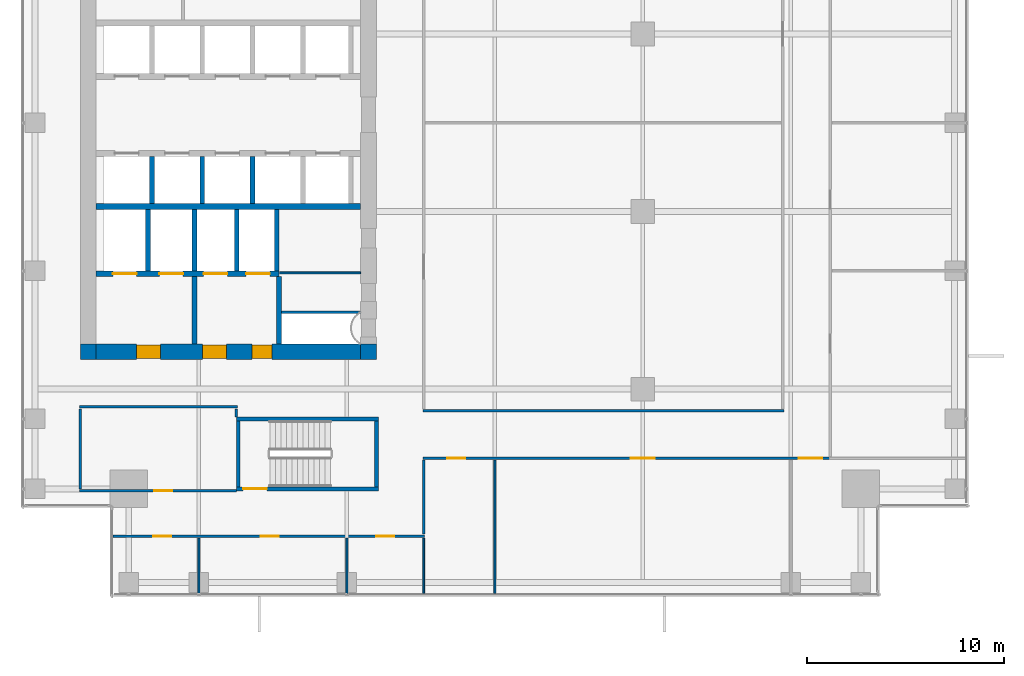
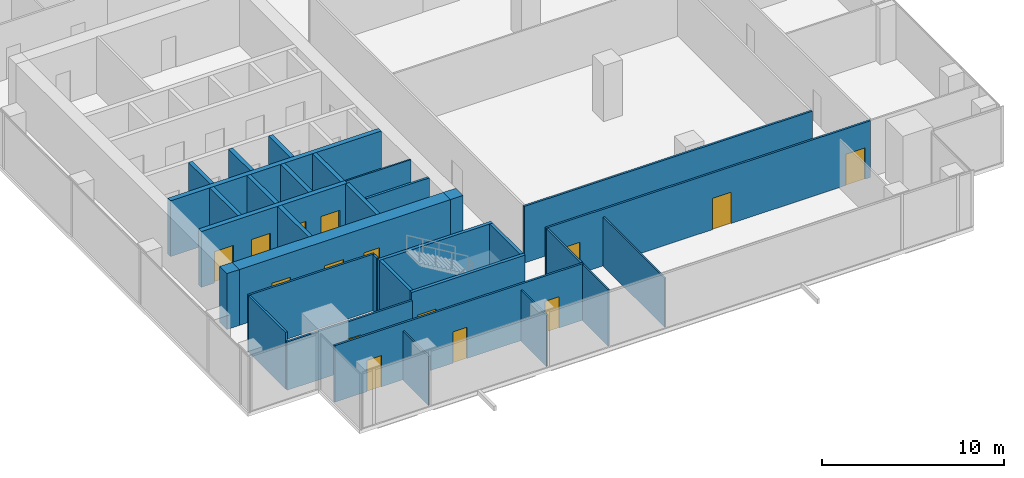
# One storey, part 34 of 40: 32 walls, 15 doors, 15 openings.
"""IFC4 building model written with IfcOpenShell, lengths in metres."""

from ifc_helpers import new_model, si_unit, direction, frame, frame_2d, origin, place, context, subcontext, project, spatial, rectangle, extrude, source, transform, mapped, material, layer, layer_set, type_object, element, fill, save


model = new_model("IFC4")

# Units and contexts
model_context = context("Model", 3, precision=1e-05, world=origin(), true_north=direction((0.0, 1.0)))
body_context = subcontext(model_context, "Body", "Model", "MODEL_VIEW")
ifc_project = project(units=[si_unit("LENGTHUNIT", "METRE"), si_unit("AREAUNIT", "SQUARE_METRE"), si_unit("VOLUMEUNIT", "CUBIC_METRE"), si_unit("PLANEANGLEUNIT", "RADIAN"), si_unit("MASSUNIT", "GRAM", prefix="KILO")], contexts=[model_context])

# Site, building, storey
site_placement = place(None, origin())
site = spatial("IfcSite", under=ifc_project, at=site_placement, CompositionType="ELEMENT")
building_placement = place(site_placement, origin())
building = spatial("IfcBuilding", under=site, at=building_placement, Name="Khomas Fold Tower", CompositionType="ELEMENT")
storey_placement = place(building_placement, frame((0.0, 0.0, 192.699951171875)))
storey = spatial("IfcBuildingStorey", under=building, at=storey_placement, Name="L42", CompositionType="ELEMENT", Elevation=192.699951171875)

# Wall, openings, doors
ifc_material_1 = material(Name="Concrete C60/75", Category="concrete")
ifc_layer_1 = layer(ifc_material_1, 0.800048828125)
ifc_layer_set_1 = layer_set([ifc_layer_1], Name="Concrete C60/75")
wall_type_1 = type_object("IfcWallType", Name="Core wall 800", PredefinedType="SHEAR", material=ifc_layer_set_1)
shared_shape_1 = source(origin(), body_context, "Body", "SweptSolid", [
    extrude(rectangle(XDim=13.39990234375, YDim=0.800048828125, at=frame_2d((6.699951171875, 0.0))), origin(), (0.0, 0.0, 1.0), 3.75),
])
wall_1_placement = place(storey_placement, frame((6.800048828125, 15.39990234375, 0.0), z_axis=(0.0, 0.0, 1.0), x_axis=(1.0, 0.0, 0.0)))
wall_1 = element("IfcWall", 1, at=wall_1_placement, inside=storey, type_object=wall_type_1, Name="Core wall CW-U-S-L35", PredefinedType="SHEAR", context=body_context, shape_type="MappedRepresentation", body=[
    mapped(shared_shape_1, transform((0.0, 0.0, 0.0))),
])
shared_shape_2 = source(origin(), body_context, "Body", "SweptSolid", [
    extrude(rectangle(XDim=1.199951171875, YDim=2.10009765625, at=frame_2d((0.60009765625, 1.050048828125))), frame((0.0, 0.409912109375, 0.0), z_axis=(0.0, -1.0, 0.0), x_axis=(1.0, 0.0, 0.0)), (0.0, 0.0, 1.0), 0.820068359375),
])
opening_1_placement = place(wall_1_placement, frame((5.39990234375, 0.0, 0.0)))
opening_1 = element("IfcOpeningElement", 2, at=opening_1_placement, cuts=wall_1, Name="Opening 0009", PredefinedType="OPENING", context=body_context, shape_type="MappedRepresentation", body=[
    mapped(shared_shape_2, transform((0.0, 0.0, 0.0))),
])
opening_2_placement = place(wall_1_placement, frame((2.050048828125, 0.0, 0.0)))
opening_2 = element("IfcOpeningElement", 3, at=opening_2_placement, cuts=wall_1, Name="Opening 0009", PredefinedType="OPENING", context=body_context, shape_type="MappedRepresentation", body=[
    mapped(shared_shape_2, transform((0.0, 0.0, 0.0))),
])
shared_shape_3 = source(origin(), body_context, "Body", "SweptSolid", [
    extrude(rectangle(XDim=1.0, YDim=2.10009765625, at=frame_2d((0.5, 1.050048828125))), frame((0.0, 0.409912109375, 0.0), z_axis=(0.0, -1.0, 0.0), x_axis=(1.0, 0.0, 0.0)), (0.0, 0.0, 1.0), 0.820068359375),
])
opening_3_placement = place(wall_1_placement, frame((7.89990234375, 0.0, 0.0)))
opening_3 = element("IfcOpeningElement", 4, at=opening_3_placement, cuts=wall_1, Name="Opening 0010", PredefinedType="OPENING", context=body_context, shape_type="MappedRepresentation", body=[
    mapped(shared_shape_3, transform((0.0, 0.0, 0.0))),
])
ifc_material_2 = material(Name="Steel door leaf", Category="steel")
door_type_1 = type_object("IfcDoorType", Name="Lobby door 1200x2100 right-hand", OperationType="SINGLE_SWING_RIGHT", PredefinedType="DOOR", material=ifc_material_2)
shared_shape_4 = source(origin(), body_context, "Body", "SweptSolid", [
    extrude(rectangle(XDim=1.199951171875, YDim=2.10009765625, at=frame_2d((0.60009765625, 1.050048828125))), frame((0.0, 0.35009765625, 0.0), z_axis=(0.0, -1.0, 0.0), x_axis=(1.0, 0.0, 0.0)), (0.0, 0.0, 1.0), 0.699951171875),
])
door_1_placement = place(opening_1_placement, origin())
door_1 = element("IfcDoor", 5, at=door_1_placement, inside=storey, type_object=door_type_1, Name="Lobby door", OperationType="SINGLE_SWING_RIGHT", OverallHeight=2.10009765625, OverallWidth=1.199951171875, PredefinedType="DOOR", context=body_context, shape_type="MappedRepresentation", body=[
    mapped(shared_shape_4, transform((0.0, 0.0, 0.0))),
])
fill(opening_1, door_1)
door_2_placement = place(opening_2_placement, origin())
door_2 = element("IfcDoor", 6, at=door_2_placement, inside=storey, type_object=door_type_1, Name="Lobby door", OperationType="SINGLE_SWING_RIGHT", OverallHeight=2.10009765625, OverallWidth=1.199951171875, PredefinedType="DOOR", context=body_context, shape_type="MappedRepresentation", body=[
    mapped(shared_shape_4, transform((0.0, 0.0, 0.0))),
])
fill(opening_2, door_2)
ifc_material_3 = material(Name="Steel door leaf", Category="steel")
door_type_2 = type_object("IfcDoorType", Name="Stair door 1000x2100 right-hand", OperationType="SINGLE_SWING_RIGHT", PredefinedType="DOOR", material=ifc_material_3)
shared_shape_5 = source(origin(), body_context, "Body", "SweptSolid", [
    extrude(rectangle(XDim=1.0, YDim=2.10009765625, at=frame_2d((0.5, 1.050048828125))), frame((0.0, 0.35009765625, 0.0), z_axis=(0.0, -1.0, 0.0), x_axis=(1.0, 0.0, 0.0)), (0.0, 0.0, 1.0), 0.699951171875),
])
door_3_placement = place(opening_3_placement, origin())
door_3 = element("IfcDoor", 7, at=door_3_placement, inside=storey, type_object=door_type_2, Name="Stair door", OperationType="SINGLE_SWING_RIGHT", OverallHeight=2.10009765625, OverallWidth=1.0, PredefinedType="DOOR", context=body_context, shape_type="MappedRepresentation", body=[
    mapped(shared_shape_5, transform((0.0, 0.0, 0.0))),
])
fill(opening_3, door_3)

# Walls
ifc_material_4 = material(Name="Concrete C60/75", Category="concrete")
ifc_layer_2 = layer(ifc_material_4, 0.800048828125)
ifc_layer_set_2 = layer_set([ifc_layer_2], Name="Concrete C60/75")
wall_type_2 = type_object("IfcWallType", Name="Core corner wall 800", PredefinedType="SHEAR", material=ifc_layer_set_2)
shared_shape_6 = source(origin(), body_context, "Body", "SweptSolid", [
    extrude(rectangle(XDim=0.800048828125, YDim=0.800048828125, at=frame_2d((0.39990234375, 0.0))), origin(), (0.0, 0.0, 1.0), 3.75),
])
for number, where, z_axis, x_axis, name in (
    (8, (20.199951171875, 15.39990234375, 0.0), (0.0, 0.0, 1.0), (1.0, 0.0, 0.0), "Core wall CW-U-SE-L35"),
    (9, (6.0, 15.39990234375, 0.0), (0.0, 0.0, 1.0), (1.0, 0.0, 0.0), "Core wall CW-U-SW-L35"),
):
    element("IfcWall", number, at=place(storey_placement, frame(where, z_axis=z_axis, x_axis=x_axis)), inside=storey, type_object=wall_type_2, Name=name, PredefinedType="SHEAR", context=body_context, shape_type="MappedRepresentation", body=[
        mapped(shared_shape_6, transform((0.0, 0.0, 0.0))),
    ])
ifc_material_5 = material(Name="Concrete C50/60", Category="concrete")
ifc_layer_3 = layer(ifc_material_5, 0.199951171875)
ifc_layer_set_3 = layer_set([ifc_layer_3], Name="Concrete C50/60")
wall_type_3 = type_object("IfcWallType", Name="Stair wall 200", PredefinedType="SHEAR", material=ifc_layer_set_3)
shared_shape_7 = source(origin(), body_context, "Body", "SweptSolid", [
    extrude(rectangle(XDim=7.2001953125, YDim=0.199951171875, at=frame_2d((3.60009765625, 0.0))), origin(), (0.0, 0.0, 1.0), 3.75),
])
wall_2_placement = place(storey_placement, frame((13.89990234375, 12.0, 0.0), z_axis=(0.0, 0.0, 1.0), x_axis=(1.0, 0.0, 0.0)))
element("IfcWall", 10, at=wall_2_placement, inside=storey, type_object=wall_type_3, Name="Stair wall SW-ST2-NH", PredefinedType="SHEAR", context=body_context, shape_type="MappedRepresentation", body=[
    mapped(shared_shape_7, transform((0.0, 0.0, 0.0))),
])

# Wall, opening, door
wall_3_placement = place(storey_placement, frame((13.89990234375, 8.449951171875, 0.0), z_axis=(0.0, 0.0, 1.0), x_axis=(1.0, 0.0, 0.0)))
wall_3 = element("IfcWall", 11, at=wall_3_placement, inside=storey, type_object=wall_type_3, Name="Stair wall SW-ST2-S", PredefinedType="SHEAR", context=body_context, shape_type="MappedRepresentation", body=[
    mapped(shared_shape_7, transform((0.0, 0.0, 0.0))),
])
shared_shape_8 = source(origin(), body_context, "Body", "SweptSolid", [
    extrude(rectangle(XDim=1.199951171875, YDim=2.10009765625, at=frame_2d((0.60009765625, 1.050048828125))), frame((0.0, 0.10986328125, 0.0), z_axis=(0.0, -1.0, 0.0), x_axis=(1.0, 0.0, 0.0)), (0.0, 0.0, 1.0), 0.219970703125),
])
opening_4_placement = place(wall_3_placement, frame((0.35009765625, 0.0, 0.0)))
opening_4 = element("IfcOpeningElement", 12, at=opening_4_placement, cuts=wall_3, Name="Opening SD-ST2", PredefinedType="OPENING", context=body_context, shape_type="MappedRepresentation", body=[
    mapped(shared_shape_8, transform((0.0, 0.0, 0.0))),
])
ifc_material_6 = material(Name="Steel door leaf", Category="steel")
door_type_3 = type_object("IfcDoorType", Name="Stair door 1200x2100 right-hand", OperationType="SINGLE_SWING_RIGHT", PredefinedType="DOOR", material=ifc_material_6)
shared_shape_9 = source(origin(), body_context, "Body", "SweptSolid", [
    extrude(rectangle(XDim=1.199951171875, YDim=2.10009765625, at=frame_2d((0.60009765625, 1.050048828125))), frame((0.0, 0.02490234375, 0.0), z_axis=(0.0, -1.0, 0.0), x_axis=(1.0, 0.0, 0.0)), (0.0, 0.0, 1.0), 0.050048828125),
])
door_4_placement = place(opening_4_placement, origin())
door_4 = element("IfcDoor", 13, at=door_4_placement, inside=storey, type_object=door_type_3, Name="Stair door", OperationType="SINGLE_SWING_RIGHT", OverallHeight=2.10009765625, OverallWidth=1.199951171875, PredefinedType="DOOR", context=body_context, shape_type="MappedRepresentation", body=[
    mapped(shared_shape_9, transform((0.0, 0.0, 0.0))),
])
fill(opening_4, door_4)

# Walls
shared_shape_10 = source(origin(), body_context, "Body", "SweptSolid", [
    extrude(rectangle(XDim=3.349853515625, YDim=0.199951171875, at=frame_2d((1.6748046875, 0.0))), origin(), (0.0, 0.0, 1.0), 3.75),
])
for number, where, z_axis, x_axis, name in (
    (14, (21.0, 8.550048828125, 0.0), (0.0, 0.0, 1.0), (0.0, 1.0, 0.0), "Stair wall SW-ST2-E"),
    (15, (14.0, 8.550048828125, 0.0), (0.0, 0.0, 1.0), (0.0, 1.0, 0.0), "Stair wall SW-ST2-W"),
):
    element("IfcWall", number, at=place(storey_placement, frame(where, z_axis=z_axis, x_axis=x_axis)), inside=storey, type_object=wall_type_3, Name=name, PredefinedType="SHEAR", context=body_context, shape_type="MappedRepresentation", body=[
        mapped(shared_shape_10, transform((0.0, 0.0, 0.0))),
    ])
ifc_material_7 = material(Name="Concrete C50/60", Category="concrete")
ifc_layer_4 = layer(ifc_material_7, 0.300048828125)
ifc_layer_set_4 = layer_set([ifc_layer_4], Name="Concrete C50/60")
wall_type_4 = type_object("IfcWallType", Name="Shaft wall 300", PredefinedType="STANDARD", material=ifc_layer_set_4)
shared_shape_11 = source(origin(), body_context, "Body", "SweptSolid", [
    extrude(rectangle(XDim=13.39990234375, YDim=0.300048828125, at=frame_2d((6.699951171875, 0.0))), origin(), (0.0, 0.0, 1.0), 3.75),
])
wall_4_placement = place(storey_placement, frame((6.800048828125, 22.75, 0.0), z_axis=(0.0, 0.0, 1.0), x_axis=(1.0, 0.0, 0.0)))
element("IfcWall", 16, at=wall_4_placement, inside=storey, type_object=wall_type_4, Name="Core wall SW-FS-B", PredefinedType="STANDARD", context=body_context, shape_type="MappedRepresentation", body=[
    mapped(shared_shape_11, transform((0.0, 0.0, 0.0))),
])

# Wall, openings, doors
shared_shape_12 = source(origin(), body_context, "Body", "SweptSolid", [
    extrude(rectangle(XDim=9.27490234375, YDim=0.300048828125, at=frame_2d((4.637451171875, 0.0))), origin(), (0.0, 0.0, 1.0), 3.75),
])
wall_5_placement = place(storey_placement, frame((6.800048828125, 19.35009765625, 0.0), z_axis=(0.0, 0.0, 1.0), x_axis=(1.0, 0.0, 0.0)))
wall_5 = element("IfcWall", 17, at=wall_5_placement, inside=storey, type_object=wall_type_4, Name="Core wall SW-FS-F", PredefinedType="STANDARD", context=body_context, shape_type="MappedRepresentation", body=[
    mapped(shared_shape_12, transform((0.0, 0.0, 0.0))),
])
shared_shape_13 = source(origin(), body_context, "Body", "SweptSolid", [
    extrude(rectangle(XDim=1.199951171875, YDim=2.10009765625, at=frame_2d((0.60009765625, 1.050048828125))), frame((0.0, 0.159912109375, 0.0), z_axis=(0.0, -1.0, 0.0), x_axis=(1.0, 0.0, 0.0)), (0.0, 0.0, 1.0), 0.320068359375),
])
opening_5_placement = place(wall_5_placement, frame((0.85009765625, 0.0, 0.0)))
opening_5 = element("IfcOpeningElement", 18, at=opening_5_placement, cuts=wall_5, Name="Opening LD-SV1", PredefinedType="OPENING", context=body_context, shape_type="MappedRepresentation", body=[
    mapped(shared_shape_13, transform((0.0, 0.0, 0.0))),
])
opening_6_placement = place(wall_5_placement, frame((3.199951171875, 0.0, 0.0)))
opening_6 = element("IfcOpeningElement", 19, at=opening_6_placement, cuts=wall_5, Name="Opening LD-SV2", PredefinedType="OPENING", context=body_context, shape_type="MappedRepresentation", body=[
    mapped(shared_shape_13, transform((0.0, 0.0, 0.0))),
])
opening_7_placement = place(wall_5_placement, frame((5.449951171875, 0.0, 0.0)))
opening_7 = element("IfcOpeningElement", 20, at=opening_7_placement, cuts=wall_5, Name="Opening LD-FF1", PredefinedType="OPENING", context=body_context, shape_type="MappedRepresentation", body=[
    mapped(shared_shape_13, transform((0.0, 0.0, 0.0))),
])
opening_8_placement = place(wall_5_placement, frame((7.60009765625, 0.0, 0.0)))
opening_8 = element("IfcOpeningElement", 21, at=opening_8_placement, cuts=wall_5, Name="Opening LD-FF2", PredefinedType="OPENING", context=body_context, shape_type="MappedRepresentation", body=[
    mapped(shared_shape_13, transform((0.0, 0.0, 0.0))),
])
ifc_material_8 = material(Name="Steel door leaf", Category="steel")
door_type_4 = type_object("IfcDoorType", Name="Landing door 1200x2100", OperationType="DOUBLE_DOOR_SLIDING", PredefinedType="DOOR", material=ifc_material_8)
door_5_placement = place(opening_5_placement, origin())
door_5 = element("IfcDoor", 22, at=door_5_placement, inside=storey, type_object=door_type_4, Name="Lift landing door", OperationType="DOUBLE_DOOR_SLIDING", OverallHeight=2.10009765625, OverallWidth=1.199951171875, PredefinedType="DOOR", context=body_context, shape_type="MappedRepresentation", body=[
    mapped(shared_shape_9, transform((0.0, 0.0, 0.0))),
])
fill(opening_5, door_5)
door_6_placement = place(opening_6_placement, origin())
door_6 = element("IfcDoor", 23, at=door_6_placement, inside=storey, type_object=door_type_4, Name="Lift landing door", OperationType="DOUBLE_DOOR_SLIDING", OverallHeight=2.10009765625, OverallWidth=1.199951171875, PredefinedType="DOOR", context=body_context, shape_type="MappedRepresentation", body=[
    mapped(shared_shape_9, transform((0.0, 0.0, 0.0))),
])
fill(opening_6, door_6)
door_7_placement = place(opening_7_placement, origin())
door_7 = element("IfcDoor", 24, at=door_7_placement, inside=storey, type_object=door_type_4, Name="Lift landing door", OperationType="DOUBLE_DOOR_SLIDING", OverallHeight=2.10009765625, OverallWidth=1.199951171875, PredefinedType="DOOR", context=body_context, shape_type="MappedRepresentation", body=[
    mapped(shared_shape_9, transform((0.0, 0.0, 0.0))),
])
fill(opening_7, door_7)
door_8_placement = place(opening_8_placement, origin())
door_8 = element("IfcDoor", 25, at=door_8_placement, inside=storey, type_object=door_type_4, Name="Lift landing door", OperationType="DOUBLE_DOOR_SLIDING", OverallHeight=2.10009765625, OverallWidth=1.199951171875, PredefinedType="DOOR", context=body_context, shape_type="MappedRepresentation", body=[
    mapped(shared_shape_9, transform((0.0, 0.0, 0.0))),
])
fill(opening_8, door_8)

# Walls
ifc_material_9 = material(Name="Concrete C50/60", Category="concrete")
ifc_layer_5 = layer(ifc_material_9, 0.25)
ifc_layer_set_5 = layer_set([ifc_layer_5], Name="Concrete C50/60")
wall_type_5 = type_object("IfcWallType", Name="Shaft wall 250", PredefinedType="STANDARD", material=ifc_layer_set_5)
shared_shape_14 = source(origin(), body_context, "Body", "SweptSolid", [
    extrude(rectangle(XDim=3.10009765625, YDim=0.25, at=frame_2d((1.550048828125, 0.0))), origin(), (0.0, 0.0, 1.0), 3.75),
])
for number, where, z_axis, x_axis, name in (
    (26, (9.425048828125, 19.5, 0.0), (0.0, 0.0, 1.0), (0.0, 1.0, 0.0), "Core wall SW-FS-P1"),
    (27, (11.77490234375, 19.5, 0.0), (0.0, 0.0, 1.0), (0.0, 1.0, 0.0), "Core wall SW-FS-P2"),
    (28, (13.925048828125, 19.5, 0.0), (0.0, 0.0, 1.0), (0.0, 1.0, 0.0), "Core wall SW-FS-P3"),
    (29, (15.949951171875, 19.5, 0.0), (0.0, 0.0, 1.0), (0.0, 1.0, 0.0), "Core wall SW-FS-PE"),
):
    element("IfcWall", number, at=place(storey_placement, frame(where, z_axis=z_axis, x_axis=x_axis)), inside=storey, type_object=wall_type_5, Name=name, PredefinedType="STANDARD", context=body_context, shape_type="MappedRepresentation", body=[
        mapped(shared_shape_14, transform((0.0, 0.0, 0.0))),
    ])
shared_shape_15 = source(origin(), body_context, "Body", "SweptSolid", [
    extrude(rectangle(XDim=2.400146484375, YDim=0.25, at=frame_2d((1.2001953125, 0.0))), origin(), (0.0, 0.0, 1.0), 3.75),
])
for number, where, z_axis, x_axis, name in (
    (30, (9.625, 22.89990234375, 0.0), (0.0, 0.0, 1.0), (0.0, 1.0, 0.0), "Core wall SW-HRS-P1"),
    (31, (12.175048828125, 22.89990234375, 0.0), (0.0, 0.0, 1.0), (0.0, 1.0, 0.0), "Core wall SW-HRS-P2"),
    (32, (14.72509765625, 22.89990234375, 0.0), (0.0, 0.0, 1.0), (0.0, 1.0, 0.0), "Core wall SW-HRS-PE"),
):
    element("IfcWall", number, at=place(storey_placement, frame(where, z_axis=z_axis, x_axis=x_axis)), inside=storey, type_object=wall_type_5, Name=name, PredefinedType="STANDARD", context=body_context, shape_type="MappedRepresentation", body=[
        mapped(shared_shape_15, transform((0.0, 0.0, 0.0))),
    ])
ifc_material_10 = material(Name="Concrete C50/60", Category="concrete")
ifc_layer_6 = layer(ifc_material_10, 0.25)
ifc_layer_set_6 = layer_set([ifc_layer_6], Name="Concrete C50/60")
wall_type_6 = type_object("IfcWallType", Name="Lobby wall 250", PredefinedType="STANDARD", material=ifc_layer_set_6)
shared_shape_16 = source(origin(), body_context, "Body", "SweptSolid", [
    extrude(rectangle(XDim=3.39990234375, YDim=0.25, at=frame_2d((1.699951171875, 0.0))), origin(), (0.0, 0.0, 1.0), 3.75),
])
for number, where, z_axis, x_axis, name in (
    (33, (16.074951171875, 15.800048828125, 0.0), (0.0, 0.0, 1.0), (0.0, 1.0, 0.0), "Core wall SW-FS-LOB-E"),
    (34, (11.77490234375, 15.800048828125, 0.0), (0.0, 0.0, 1.0), (0.0, 1.0, 0.0), "Core wall SW-FS-SEP"),
):
    element("IfcWall", number, at=place(storey_placement, frame(where, z_axis=z_axis, x_axis=x_axis)), inside=storey, type_object=wall_type_6, Name=name, PredefinedType="STANDARD", context=body_context, shape_type="MappedRepresentation", body=[
        mapped(shared_shape_16, transform((0.0, 0.0, 0.0))),
    ])
ifc_material_11 = material(Name="Plasterboard partition")
ifc_layer_7 = layer(ifc_material_11, 0.10009765625)
ifc_layer_set_7 = layer_set([ifc_layer_7], Name="Plasterboard partition")
wall_type_7 = type_object("IfcWallType", Name="Partition PW1 100", PredefinedType="PARTITIONING", material=ifc_layer_set_7)
shared_shape_17 = source(origin(), body_context, "Body", "SweptSolid", [
    extrude(rectangle(XDim=2.800048828125, YDim=0.10009765625, at=frame_2d((1.39990234375, 0.0))), origin(), (0.0, 0.0, 1.0), 3.420166015625),
])
wall_6_placement = place(storey_placement, frame((19.5, 3.14990234375, 0.0), z_axis=(0.0, 0.0, 1.0), x_axis=(0.0, 1.0, 0.0)))
element("IfcWall", 35, at=wall_6_placement, inside=storey, type_object=wall_type_7, Name="Partition", PredefinedType="PARTITIONING", context=body_context, shape_type="MappedRepresentation", body=[
    mapped(shared_shape_17, transform((0.0, 0.0, 0.0))),
])

# Wall, opening, door
ifc_material_12 = material(Name="Plasterboard partition")
ifc_layer_8 = layer(ifc_material_12, 0.125)
ifc_layer_set_8 = layer_set([ifc_layer_8], Name="Plasterboard partition")
wall_type_8 = type_object("IfcWallType", Name="Partition PW2 125", PredefinedType="PARTITIONING", material=ifc_layer_set_8)
shared_shape_18 = source(origin(), body_context, "Body", "SweptSolid", [
    extrude(rectangle(XDim=7.949951171875, YDim=0.125, at=frame_2d((3.97509765625, 0.0))), origin(), (0.0, 0.0, 1.0), 3.25),
])
wall_7_placement = place(storey_placement, frame((5.949951171875, 8.35009765625, 0.0), z_axis=(0.0, 0.0, 1.0), x_axis=(1.0, 0.0, 0.0)))
wall_7 = element("IfcWall", 36, at=wall_7_placement, inside=storey, type_object=wall_type_8, Name="Partition", PredefinedType="PARTITIONING", context=body_context, shape_type="MappedRepresentation", body=[
    mapped(shared_shape_18, transform((0.0, 0.0, 0.0))),
])
shared_shape_19 = source(origin(), body_context, "Body", "SweptSolid", [
    extrude(rectangle(XDim=0.89990234375, YDim=2.10009765625, at=frame_2d((0.449951171875, 1.050048828125))), frame((0.0, 0.072509765625, 0.0), z_axis=(0.0, -1.0, 0.0), x_axis=(1.0, 0.0, 0.0)), (0.0, 0.0, 1.0), 0.14501953125),
])
opening_9_placement = place(wall_7_placement, frame((3.800048828125, 0.0, 0.0)))
opening_9 = element("IfcOpeningElement", 37, at=opening_9_placement, cuts=wall_7, Name="Opening 0007", PredefinedType="OPENING", context=body_context, shape_type="MappedRepresentation", body=[
    mapped(shared_shape_19, transform((0.0, 0.0, 0.0))),
])
ifc_material_13 = material(Name="Timber door leaf", Category="wood")
door_type_5 = type_object("IfcDoorType", Name="Door 900x2100 left-hand", OperationType="SINGLE_SWING_LEFT", PredefinedType="DOOR", material=ifc_material_13)
shared_shape_20 = source(origin(), body_context, "Body", "SweptSolid", [
    extrude(rectangle(XDim=0.89990234375, YDim=2.10009765625, at=frame_2d((0.449951171875, 1.050048828125))), frame((0.0, 0.02490234375, 0.0), z_axis=(0.0, -1.0, 0.0), x_axis=(1.0, 0.0, 0.0)), (0.0, 0.0, 1.0), 0.050048828125),
])
door_9_placement = place(opening_9_placement, origin())
door_9 = element("IfcDoor", 38, at=door_9_placement, inside=storey, type_object=door_type_5, Name="Door", OperationType="SINGLE_SWING_LEFT", OverallHeight=2.10009765625, OverallWidth=0.89990234375, PredefinedType="DOOR", context=body_context, shape_type="MappedRepresentation", body=[
    mapped(shared_shape_20, transform((0.0, 0.0, 0.0))),
])
fill(opening_9, door_9)

# Walls
shared_shape_21 = source(origin(), body_context, "Body", "SweptSolid", [
    extrude(rectangle(XDim=4.050048828125, YDim=0.125, at=frame_2d((2.02490234375, 0.0))), origin(), (0.0, 0.0, 1.0), 3.800048828125),
])
wall_8_placement = place(storey_placement, frame((6.0, 8.449951171875, 0.0), z_axis=(0.0, 0.0, 1.0), x_axis=(0.0, 1.0, 0.0)))
element("IfcWall", 39, at=wall_8_placement, inside=storey, type_object=wall_type_8, Name="Partition", PredefinedType="PARTITIONING", context=body_context, shape_type="MappedRepresentation", body=[
    mapped(shared_shape_21, transform((0.0, 0.0, 0.0))),
])
shared_shape_22 = source(origin(), body_context, "Body", "SweptSolid", [
    extrude(rectangle(XDim=0.39990234375, YDim=0.125, at=frame_2d((0.199951171875, 0.0))), origin(), (0.0, 0.0, 1.0), 3.800048828125),
])
wall_9_placement = place(storey_placement, frame((13.89990234375, 12.10009765625, 0.0), z_axis=(0.0, 0.0, 1.0), x_axis=(0.0, 1.0, 0.0)))
element("IfcWall", 40, at=wall_9_placement, inside=storey, type_object=wall_type_8, Name="Partition", PredefinedType="PARTITIONING", context=body_context, shape_type="MappedRepresentation", body=[
    mapped(shared_shape_22, transform((0.0, 0.0, 0.0))),
])
shared_shape_23 = source(origin(), body_context, "Body", "SweptSolid", [
    extrude(rectangle(XDim=8.0, YDim=0.125, at=frame_2d((4.0, 0.0))), origin(), (0.0, 0.0, 1.0), 3.800048828125),
])
wall_10_placement = place(storey_placement, frame((5.949951171875, 12.60009765625, 0.0), z_axis=(0.0, 0.0, 1.0), x_axis=(1.0, 0.0, 0.0)))
element("IfcWall", 41, at=wall_10_placement, inside=storey, type_object=wall_type_8, Name="Partition", PredefinedType="PARTITIONING", context=body_context, shape_type="MappedRepresentation", body=[
    mapped(shared_shape_23, transform((0.0, 0.0, 0.0))),
])
ifc_material_14 = material(Name="Plasterboard fire partition")
ifc_layer_9 = layer(ifc_material_14, 0.14990234375)
ifc_layer_set_9 = layer_set([ifc_layer_9], Name="Plasterboard fire partition")
wall_type_9 = type_object("IfcWallType", Name="Plant room wall PW3 150", PredefinedType="PARTITIONING", material=ifc_layer_set_9)
shared_shape_24 = source(origin(), body_context, "Body", "SweptSolid", [
    extrude(rectangle(XDim=4.0, YDim=0.14990234375, at=frame_2d((2.0, 0.0))), origin(), (0.0, 0.0, 1.0), 3.800048828125),
])
wall_11_placement = place(storey_placement, frame((16.199951171875, 17.39990234375, 0.0), z_axis=(0.0, 0.0, 1.0), x_axis=(1.0, 0.0, 0.0)))
element("IfcWall", 42, at=wall_11_placement, inside=storey, type_object=wall_type_9, Name="Plant room wall", PredefinedType="PARTITIONING", context=body_context, shape_type="MappedRepresentation", body=[
    mapped(shared_shape_24, transform((0.0, 0.0, 0.0))),
])
shared_shape_25 = source(origin(), body_context, "Body", "SweptSolid", [
    extrude(rectangle(XDim=4.099853515625, YDim=0.10009765625, at=frame_2d((2.0498046875, 0.0))), origin(), (0.0, 0.0, 1.0), 3.800048828125),
])
wall_12_placement = place(storey_placement, frame((16.10009765625, 19.39990234375, 0.0), z_axis=(0.0, 0.0, 1.0), x_axis=(1.0, 0.0, 0.0)))
element("IfcWall", 43, at=wall_12_placement, inside=storey, type_object=wall_type_7, Name="Partition", PredefinedType="PARTITIONING", context=body_context, shape_type="MappedRepresentation", body=[
    mapped(shared_shape_25, transform((0.0, 0.0, 0.0))),
])
shared_shape_26 = source(origin(), body_context, "Body", "SweptSolid", [
    extrude(rectangle(XDim=18.2998046875, YDim=0.125, at=frame_2d((9.14990234375, 0.0))), origin(), (0.0, 0.0, 1.0), 3.800048828125),
])
wall_13_placement = place(storey_placement, frame((23.35009765625, 12.39990234375, 0.0), z_axis=(0.0, 0.0, 1.0), x_axis=(1.0, 0.0, 0.0)))
element("IfcWall", 44, at=wall_13_placement, inside=storey, type_object=wall_type_8, Name="Partition", PredefinedType="PARTITIONING", context=body_context, shape_type="MappedRepresentation", body=[
    mapped(shared_shape_26, transform((0.0, 0.0, 0.0))),
])
shared_shape_27 = source(origin(), body_context, "Body", "SweptSolid", [
    extrude(rectangle(XDim=2.800048828125, YDim=0.10009765625, at=frame_2d((1.39990234375, 0.0))), origin(), (0.0, 0.0, 1.0), 3.800048828125),
])
wall_14_placement = place(storey_placement, frame((23.39990234375, 3.14990234375, 0.0), z_axis=(0.0, 0.0, 1.0), x_axis=(0.0, 1.0, 0.0)))
element("IfcWall", 45, at=wall_14_placement, inside=storey, type_object=wall_type_7, Name="Partition", PredefinedType="PARTITIONING", context=body_context, shape_type="MappedRepresentation", body=[
    mapped(shared_shape_27, transform((0.0, 0.0, 0.0))),
])

# Wall, openings, doors
shared_shape_28 = source(origin(), body_context, "Body", "SweptSolid", [
    extrude(rectangle(XDim=15.800048828125, YDim=0.125, at=frame_2d((7.89990234375, 0.0))), origin(), (0.0, 0.0, 1.0), 3.800048828125),
])
wall_15_placement = place(storey_placement, frame((7.64990234375, 6.050048828125, 0.0), z_axis=(0.0, 0.0, 1.0), x_axis=(1.0, 0.0, 0.0)))
wall_15 = element("IfcWall", 46, at=wall_15_placement, inside=storey, type_object=wall_type_8, Name="Partition", PredefinedType="PARTITIONING", context=body_context, shape_type="MappedRepresentation", body=[
    mapped(shared_shape_28, transform((0.0, 0.0, 0.0))),
])
opening_10_placement = place(wall_15_placement, frame((2.050048828125, 0.0, 0.0)))
opening_10 = element("IfcOpeningElement", 47, at=opening_10_placement, cuts=wall_15, Name="Opening 0008", PredefinedType="OPENING", context=body_context, shape_type="MappedRepresentation", body=[
    mapped(shared_shape_19, transform((0.0, 0.0, 0.0))),
])
opening_11_placement = place(wall_15_placement, frame((7.5, 0.0, 0.0)))
opening_11 = element("IfcOpeningElement", 48, at=opening_11_placement, cuts=wall_15, Name="Opening 0007", PredefinedType="OPENING", context=body_context, shape_type="MappedRepresentation", body=[
    mapped(shared_shape_19, transform((0.0, 0.0, 0.0))),
])
opening_12_placement = place(wall_15_placement, frame((13.35009765625, 0.0, 0.0)))
opening_12 = element("IfcOpeningElement", 49, at=opening_12_placement, cuts=wall_15, Name="Opening 0008", PredefinedType="OPENING", context=body_context, shape_type="MappedRepresentation", body=[
    mapped(shared_shape_19, transform((0.0, 0.0, 0.0))),
])
ifc_material_15 = material(Name="Timber door leaf", Category="wood")
door_type_6 = type_object("IfcDoorType", Name="Door 900x2100 right-hand", OperationType="SINGLE_SWING_RIGHT", PredefinedType="DOOR", material=ifc_material_15)
door_10_placement = place(opening_10_placement, origin())
door_10 = element("IfcDoor", 50, at=door_10_placement, inside=storey, type_object=door_type_6, Name="Door", OperationType="SINGLE_SWING_RIGHT", OverallHeight=2.10009765625, OverallWidth=0.89990234375, PredefinedType="DOOR", context=body_context, shape_type="MappedRepresentation", body=[
    mapped(shared_shape_20, transform((0.0, 0.0, 0.0))),
])
fill(opening_10, door_10)
door_11_placement = place(opening_11_placement, origin())
door_11 = element("IfcDoor", 51, at=door_11_placement, inside=storey, type_object=door_type_5, Name="Door", OperationType="SINGLE_SWING_LEFT", OverallHeight=2.10009765625, OverallWidth=0.89990234375, PredefinedType="DOOR", context=body_context, shape_type="MappedRepresentation", body=[
    mapped(shared_shape_20, transform((0.0, 0.0, 0.0))),
])
fill(opening_11, door_11)
door_12_placement = place(opening_12_placement, origin())
door_12 = element("IfcDoor", 52, at=door_12_placement, inside=storey, type_object=door_type_6, Name="Door", OperationType="SINGLE_SWING_RIGHT", OverallHeight=2.10009765625, OverallWidth=0.89990234375, PredefinedType="DOOR", context=body_context, shape_type="MappedRepresentation", body=[
    mapped(shared_shape_20, transform((0.0, 0.0, 0.0))),
])
fill(opening_12, door_12)

# Walls
shared_shape_29 = source(origin(), body_context, "Body", "SweptSolid", [
    extrude(rectangle(XDim=3.75, YDim=0.125, at=frame_2d((1.875, 0.0))), origin(), (0.0, 0.0, 1.0), 3.800048828125),
])
wall_16_placement = place(storey_placement, frame((23.39990234375, 6.14990234375, 0.0), z_axis=(0.0, 0.0, 1.0), x_axis=(0.0, 1.0, 0.0)))
element("IfcWall", 53, at=wall_16_placement, inside=storey, type_object=wall_type_8, Name="Partition", PredefinedType="PARTITIONING", context=body_context, shape_type="MappedRepresentation", body=[
    mapped(shared_shape_29, transform((0.0, 0.0, 0.0))),
])
shared_shape_30 = source(origin(), body_context, "Body", "SweptSolid", [
    extrude(rectangle(XDim=2.800048828125, YDim=0.10009765625, at=frame_2d((1.39990234375, 0.0))), origin(), (0.0, 0.0, 1.0), 3.300048828125),
])
wall_17_placement = place(storey_placement, frame((12.0, 3.14990234375, 0.0), z_axis=(0.0, 0.0, 1.0), x_axis=(0.0, 1.0, 0.0)))
element("IfcWall", 54, at=wall_17_placement, inside=storey, type_object=wall_type_7, Name="Partition", PredefinedType="PARTITIONING", context=body_context, shape_type="MappedRepresentation", body=[
    mapped(shared_shape_30, transform((0.0, 0.0, 0.0))),
])
shared_shape_31 = source(origin(), body_context, "Body", "SweptSolid", [
    extrude(rectangle(XDim=6.75, YDim=0.10009765625, at=frame_2d((3.375, 0.0))), origin(), (0.0, 0.0, 1.0), 3.300048828125),
])
wall_18_placement = place(storey_placement, frame((27.0, 3.14990234375, 0.0), z_axis=(0.0, 0.0, 1.0), x_axis=(0.0, 1.0, 0.0)))
element("IfcWall", 55, at=wall_18_placement, inside=storey, type_object=wall_type_7, Name="Partition", PredefinedType="PARTITIONING", context=body_context, shape_type="MappedRepresentation", body=[
    mapped(shared_shape_31, transform((0.0, 0.0, 0.0))),
])

# Wall, openings, doors
shared_shape_32 = source(origin(), body_context, "Body", "SweptSolid", [
    extrude(rectangle(XDim=20.599853515625, YDim=0.125, at=frame_2d((10.2998046875, 0.0))), origin(), (0.0, 0.0, 1.0), 3.800048828125),
])
wall_19_placement = place(storey_placement, frame((23.35009765625, 10.0, 0.0), z_axis=(0.0, 0.0, 1.0), x_axis=(1.0, 0.0, 0.0)))
wall_19 = element("IfcWall", 56, at=wall_19_placement, inside=storey, type_object=wall_type_8, Name="Partition", PredefinedType="PARTITIONING", context=body_context, shape_type="MappedRepresentation", body=[
    mapped(shared_shape_32, transform((0.0, 0.0, 0.0))),
])
opening_13_placement = place(wall_19_placement, frame((1.25, 0.0, 0.0)))
opening_13 = element("IfcOpeningElement", 57, at=opening_13_placement, cuts=wall_19, Name="Opening 0007", PredefinedType="OPENING", context=body_context, shape_type="MappedRepresentation", body=[
    mapped(shared_shape_19, transform((0.0, 0.0, 0.0))),
])
shared_shape_33 = source(origin(), body_context, "Body", "SweptSolid", [
    extrude(rectangle(XDim=1.199951171875, YDim=2.10009765625, at=frame_2d((0.60009765625, 1.050048828125))), frame((0.0, 0.072509765625, 0.0), z_axis=(0.0, -1.0, 0.0), x_axis=(1.0, 0.0, 0.0)), (0.0, 0.0, 1.0), 0.14501953125),
])
opening_14_placement = place(wall_19_placement, frame((10.550048828125, 0.0, 0.0)))
opening_14 = element("IfcOpeningElement", 58, at=opening_14_placement, cuts=wall_19, Name="Opening 0001", PredefinedType="OPENING", context=body_context, shape_type="MappedRepresentation", body=[
    mapped(shared_shape_33, transform((0.0, 0.0, 0.0))),
])
opening_15_placement = place(wall_19_placement, frame((19.050048828125, 0.0, 0.0)))
opening_15 = element("IfcOpeningElement", 59, at=opening_15_placement, cuts=wall_19, Name="Opening 0013", PredefinedType="OPENING", context=body_context, shape_type="MappedRepresentation", body=[
    mapped(shared_shape_33, transform((0.0, 0.0, 0.0))),
])
door_13_placement = place(opening_13_placement, origin())
door_13 = element("IfcDoor", 60, at=door_13_placement, inside=storey, type_object=door_type_5, Name="Door", OperationType="SINGLE_SWING_LEFT", OverallHeight=2.10009765625, OverallWidth=0.89990234375, PredefinedType="DOOR", context=body_context, shape_type="MappedRepresentation", body=[
    mapped(shared_shape_20, transform((0.0, 0.0, 0.0))),
])
fill(opening_13, door_13)
ifc_material_16 = material(Name="Timber door leaf", Category="wood")
door_type_7 = type_object("IfcDoorType", Name="Door 1200x2100 right-hand", OperationType="SINGLE_SWING_RIGHT", PredefinedType="DOOR", material=ifc_material_16)
door_14_placement = place(opening_14_placement, origin())
door_14 = element("IfcDoor", 61, at=door_14_placement, inside=storey, type_object=door_type_7, Name="Door", OperationType="SINGLE_SWING_RIGHT", OverallHeight=2.10009765625, OverallWidth=1.199951171875, PredefinedType="DOOR", context=body_context, shape_type="MappedRepresentation", body=[
    mapped(shared_shape_9, transform((0.0, 0.0, 0.0))),
])
fill(opening_14, door_14)
ifc_material_17 = material(Name="Timber door leaf", Category="wood")
door_type_8 = type_object("IfcDoorType", Name="Door 1200x2100 left-hand", OperationType="SINGLE_SWING_LEFT", PredefinedType="DOOR", material=ifc_material_17)
door_15_placement = place(opening_15_placement, origin())
door_15 = element("IfcDoor", 62, at=door_15_placement, inside=storey, type_object=door_type_8, Name="Door", OperationType="SINGLE_SWING_LEFT", OverallHeight=2.10009765625, OverallWidth=1.199951171875, PredefinedType="DOOR", context=body_context, shape_type="MappedRepresentation", body=[
    mapped(shared_shape_9, transform((0.0, 0.0, 0.0))),
])
fill(opening_15, door_15)

save(model, "model.ifc")
